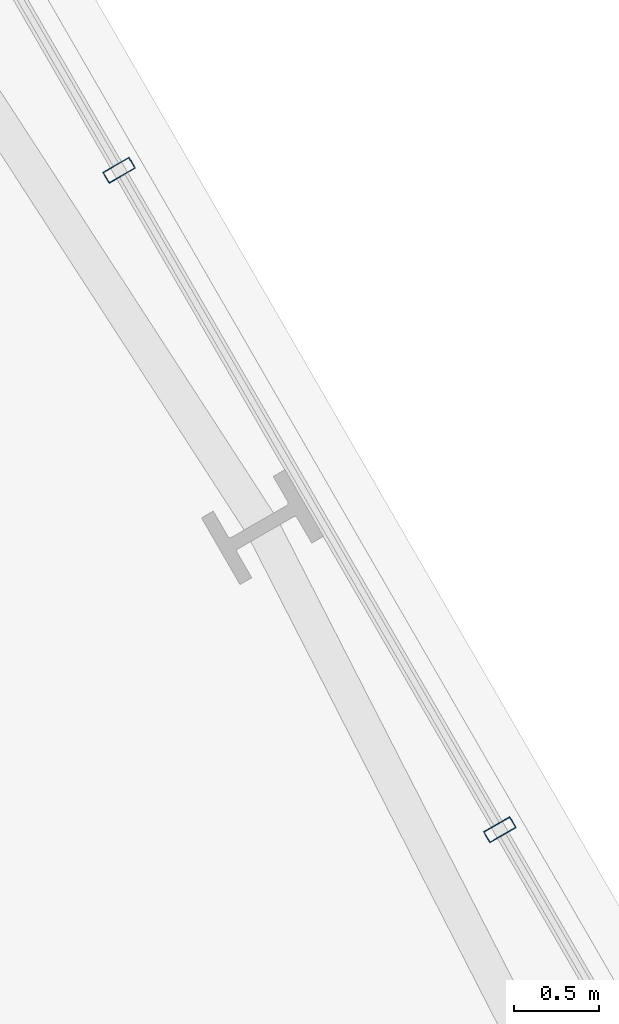
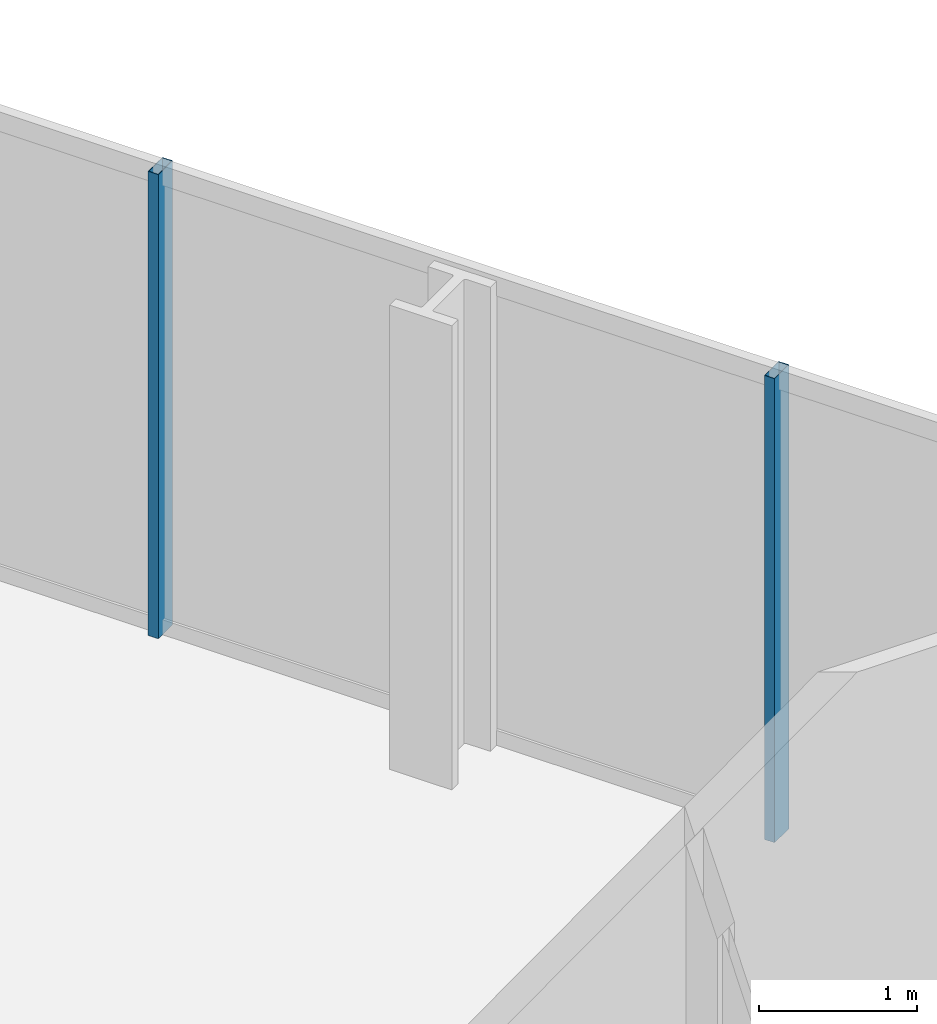
# One storey, part 20 of 32: 2 members, 1 element without a shape of its own.
"""IFC4 building model written with IfcOpenShell, lengths in metres."""

from ifc_helpers import new_model, si_unit, direction, frame, origin, origin_2d, place, context, subcontext, project, spatial, hollow_rectangle, extrude, material, layer, layer_set, material_profile, profile_set, type_object, element, aggregate, save


model = new_model("IFC4")

# Units and contexts
model_context = context("Model", 3, precision=1e-05, world=origin(), true_north=direction((0.0, 1.0)))
body_context = subcontext(model_context, "Body", "Model", "MODEL_VIEW")
ifc_project = project(units=[si_unit("LENGTHUNIT", "METRE"), si_unit("AREAUNIT", "SQUARE_METRE"), si_unit("VOLUMEUNIT", "CUBIC_METRE"), si_unit("PLANEANGLEUNIT", "RADIAN"), si_unit("MASSUNIT", "GRAM", prefix="KILO")], contexts=[model_context])

# Site, building, storey
site_placement = place(None, origin())
site = spatial("IfcSite", under=ifc_project, at=site_placement, CompositionType="ELEMENT")
building_placement = place(site_placement, origin())
building = spatial("IfcBuilding", under=site, at=building_placement, Name="Ndaravel Arena Tower", CompositionType="ELEMENT")
storey_placement = place(building_placement, frame((0.0, 0.0, 58.800048828125)))
storey = spatial("IfcBuildingStorey", under=building, at=storey_placement, Name="L12", CompositionType="ELEMENT", Elevation=58.800048828125)

# Curtain wall, members
ifc_material_1 = material(Name="Aluminium", Category="aluminium")
ifc_layer = layer(ifc_material_1, 0.179931640625)
ifc_layer_set = layer_set([ifc_layer], Name="Aluminium")
curtain_wall_type = type_object("IfcCurtainWallType", Name="CW-SYS-03", PredefinedType="NOTDEFINED", material=ifc_layer_set)
curtain_wall_placement = place(storey_placement, origin())
curtain_wall = element("IfcCurtainWall", 1, at=curtain_wall_placement, inside=storey, type_object=curtain_wall_type, Name="L12 Faceted Crystal Curtain Wall CW-L12-E03", PredefinedType="NOTDEFINED")
ifc_material_2 = material(Name="Aluminium", Category="aluminium")
ifc_material_profile = material_profile(ifc_material_2, hollow_rectangle(XDim=0.074951171875, YDim=0.179931640625, WallThickness=0.00390625, at=origin_2d()), Name="CW MULLION 75x180x4")
ifc_profile_set = profile_set([ifc_material_profile], Name="Aluminium")
member_type = type_object("IfcMemberType", Name="MEM-CW-MUL180", PredefinedType="MULLION", material=ifc_profile_set)
member_1_placement = place(storey_placement, frame((58.74755859375, 30.274169921875, 0.0), z_axis=(0.0, 0.0, 1.0), x_axis=(-0.5, 0.866025403784, 0.0)))
member_1 = element("IfcMember", 2, at=member_1_placement, type_object=member_type, Name="CW-L12-E03 Mullion 03", PredefinedType="MULLION", context=body_context, shape_type="SweptSolid", body=[
    extrude(hollow_rectangle(XDim=0.074951171875, YDim=0.179931640625, WallThickness=0.00390625, at=origin_2d()), origin(), (0.0, 0.0, 1.0), 3.579833984375),
])
member_2_placement = place(storey_placement, frame((56.499755859375, 34.16748046875, 0.0), z_axis=(0.0, 0.0, 1.0), x_axis=(-0.5, 0.866025403784, 0.0)))
member_2 = element("IfcMember", 3, at=member_2_placement, type_object=member_type, Name="CW-L12-E03 Mullion 04", PredefinedType="MULLION", context=body_context, shape_type="SweptSolid", body=[
    extrude(hollow_rectangle(XDim=0.074951171875, YDim=0.179931640625, WallThickness=0.00390625, at=origin_2d()), origin(), (0.0, 0.0, 1.0), 3.579833984375),
])
aggregate(curtain_wall, [member_1, member_2])

save(model, "model.ifc")
